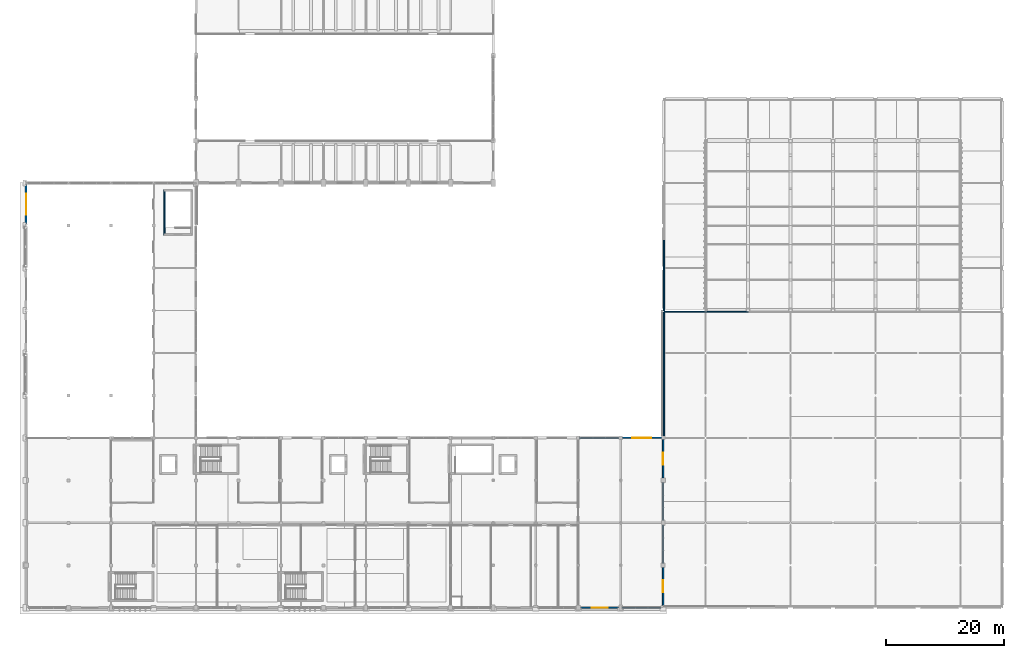
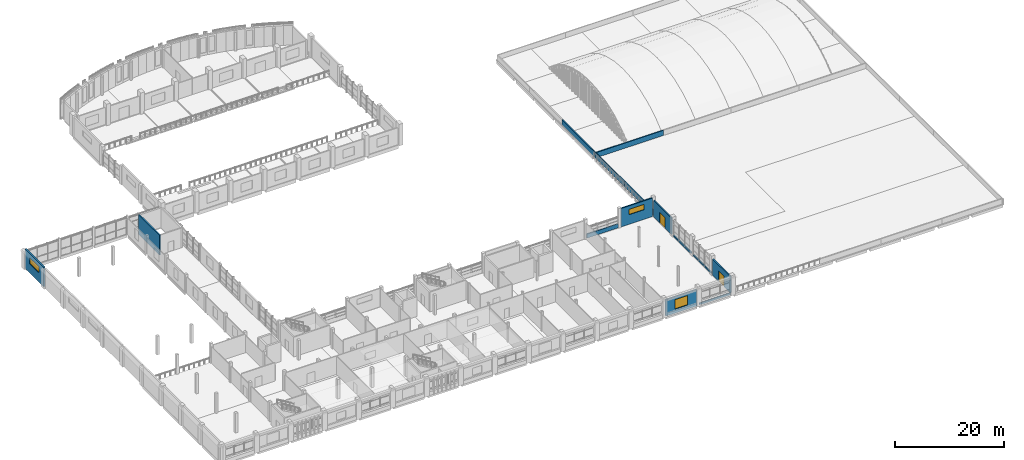
# One storey, part 51 of 71: 14 walls, 3 windows, 2 doors, 5 openings.
"""IFC4 building model written with IfcOpenShell, lengths in metres."""

from ifc_helpers import new_model, si_unit, direction, frame, frame_2d, origin, place, context, subcontext, project, spatial, rectangle, extrude, material, layer, layer_set, type_object, element, fill, save


model = new_model("IFC4")

# Units and contexts
model_context = context("Model", 3, precision=1e-05, world=origin(), true_north=direction((0.0, 1.0)))
body_context = subcontext(model_context, "Body", "Model", "MODEL_VIEW")
ifc_project = project(units=[si_unit("LENGTHUNIT", "METRE"), si_unit("AREAUNIT", "SQUARE_METRE"), si_unit("VOLUMEUNIT", "CUBIC_METRE"), si_unit("PLANEANGLEUNIT", "RADIAN"), si_unit("MASSUNIT", "GRAM", prefix="KILO")], contexts=[model_context])

# Site, building, storey
site_placement = place(None, origin())
site = spatial("IfcSite", under=ifc_project, at=site_placement, CompositionType="ELEMENT")
building_placement = place(site_placement, origin())
building = spatial("IfcBuilding", under=site, at=building_placement, Name="Sardonyx Promenade Sports Hall", CompositionType="ELEMENT")
storey_placement = place(building_placement, frame((0.0, 0.0, 16.0)))
storey = spatial("IfcBuildingStorey", under=building, at=storey_placement, Name="L03", CompositionType="ELEMENT", Elevation=16.0)

# Wall, opening, window
ifc_material_1 = material(Name="Concrete C40/50", Category="concrete")
ifc_layer_1 = layer(ifc_material_1, 0.320068359375)
ifc_layer_set_1 = layer_set([ifc_layer_1], Name="Wall_Ext_Court_320")
wall_type_1 = type_object("IfcWallType", Name="Wall_Ext_Court_320", PredefinedType="SOLIDWALL", material=ifc_layer_set_1)
wall_1_placement = place(storey_placement, frame((0.0, 65.0048828125, 0.0), z_axis=(0.0, 0.0, 1.0), x_axis=(0.0, 1.0, 0.0)))
wall_1 = element("IfcWall", 1, at=wall_1_placement, inside=storey, type_object=wall_type_1, Name="Exterior wall EW01 L03 #167", PredefinedType="SOLIDWALL", context=body_context, shape_type="SweptSolid", body=[
    extrude(rectangle(XDim=6.7900390625, YDim=0.320068359375, at=frame_2d((3.39501953125, 0.0))), origin(), (0.0, 0.0, 1.0), 4.39990234375),
])
opening_1_placement = place(wall_1_placement, frame((1.594970703125, 0.0, 2.10009765625)))
opening_1 = element("IfcOpeningElement", 2, at=opening_1_placement, cuts=wall_1, Name="Opening W17", PredefinedType="OPENING", context=body_context, shape_type="SweptSolid", body=[
    extrude(rectangle(XDim=3.60009765625, YDim=1.35009765625, at=frame_2d((1.800048828125, 0.675048828125))), frame((0.0, 0.17, 0.0), z_axis=(0.0, -1.0, 0.0), x_axis=(1.0, 0.0, 0.0)), (0.0, 0.0, 1.0), 0.34),
])
ifc_material_2 = material(Name="Double-glazed solar low-E aluminium window", Category="aluminium")
window_type_1 = type_object("IfcWindowType", Name="Win_Clerestory_360x135", PartitioningType="DOUBLE_PANEL_VERTICAL", PredefinedType="WINDOW", material=ifc_material_2)
window_1_placement = place(opening_1_placement, origin())
window_1 = element("IfcWindow", 3, at=window_1_placement, inside=storey, type_object=window_type_1, Name="Facade window W17 L03 #71", OverallHeight=1.35009765625, OverallWidth=3.60009765625, PartitioningType="SINGLE_PANEL", PredefinedType="WINDOW", context=body_context, shape_type="SweptSolid", body=[
    extrude(rectangle(XDim=3.60009765625, YDim=1.35009765625, at=frame_2d((1.800048828125, 0.675048828125))), frame((0.0, 0.030029296875, 0.0), z_axis=(0.0, -1.0, 0.0), x_axis=(1.0, 0.0, 0.0)), (0.0, 0.0, 1.0), 0.06005859375),
])
fill(opening_1, window_1)

# Walls
ifc_material_3 = material(Name="Masonry CMU 15 MPa", Category="masonry")
ifc_layer_2 = layer(ifc_material_3, 0.239990234375)
ifc_layer_set_2 = layer_set([ifc_layer_2], Name="Wall_Ext_Spandrel_240")
wall_type_2 = type_object("IfcWallType", Name="Wall_Ext_Spandrel_240", PredefinedType="SOLIDWALL", material=ifc_layer_set_2)
wall_2_placement = place(storey_placement, frame((107.614990234375, 0.0, 0.0), z_axis=(0.0, 0.0, 1.0), x_axis=(-1.0, 0.0, 0.0)))
element("IfcWall", 4, at=wall_2_placement, inside=storey, type_object=wall_type_2, Name="Curtain-wall sill spandrel L03 #77", PredefinedType="SOLIDWALL", context=body_context, shape_type="SweptSolid", body=[
    extrude(rectangle(XDim=6.530029296875, YDim=0.239990234375, at=frame_2d((3.26513671875, 0.0))), origin(), (0.0, 0.0, 1.0), 0.35009765625),
])
wall_3_placement = place(storey_placement, frame((108.0, 21.215087890625, 0.0), z_axis=(0.0, 0.0, 1.0), x_axis=(0.0, -1.0, 0.0)))
element("IfcWall", 5, at=wall_3_placement, inside=storey, type_object=wall_type_2, Name="Curtain-wall sill spandrel L03 #251", PredefinedType="SOLIDWALL", context=body_context, shape_type="SweptSolid", body=[
    extrude(rectangle(XDim=6.380126953125, YDim=0.239990234375, at=frame_2d((3.18994140625, 0.0))), origin(), (0.0, 0.0, 1.0), 0.35009765625),
])
wall_4_placement = place(storey_placement, frame((108.0, 13.965087890625, 0.0), z_axis=(0.0, 0.0, 1.0), x_axis=(0.0, -1.0, 0.0)))
element("IfcWall", 6, at=wall_4_placement, inside=storey, type_object=wall_type_2, Name="Curtain-wall sill spandrel L03 #252", PredefinedType="SOLIDWALL", context=body_context, shape_type="SweptSolid", body=[
    extrude(rectangle(XDim=6.43017578125, YDim=0.239990234375, at=frame_2d((3.215087890625, 0.0))), origin(), (0.0, 0.0, 1.0), 0.35009765625),
])
wall_5_placement = place(storey_placement, frame((93.885009765625, 28.800048828125, 0.0), z_axis=(0.0, 0.0, 1.0), x_axis=(1.0, 0.0, 0.0)))
element("IfcWall", 7, at=wall_5_placement, inside=storey, type_object=wall_type_2, Name="Curtain-wall sill spandrel L03 #263", PredefinedType="SOLIDWALL", context=body_context, shape_type="SweptSolid", body=[
    extrude(rectangle(XDim=6.6298828125, YDim=0.239990234375, at=frame_2d((3.31494140625, 0.0))), origin(), (0.0, 0.0, 1.0), 0.89990234375),
])

# Wall, opening, window
ifc_material_4 = material(Name="Concrete C40/50", Category="concrete")
ifc_layer_3 = layer(ifc_material_4, 0.280029296875)
ifc_layer_set_3 = layer_set([ifc_layer_3], Name="Wall_Ext_Wing_280")
wall_type_3 = type_object("IfcWallType", Name="Wall_Ext_Wing_280", PredefinedType="SOLIDWALL", material=ifc_layer_set_3)
wall_6_placement = place(storey_placement, frame((100.514892578125, 0.0, 0.0), z_axis=(0.0, 0.0, 1.0), x_axis=(-1.0, 0.0, 0.0)))
wall_6 = element("IfcWall", 8, at=wall_6_placement, inside=storey, type_object=wall_type_3, Name="Exterior wall EW02 L03 #78", PredefinedType="SOLIDWALL", context=body_context, shape_type="SweptSolid", body=[
    extrude(rectangle(XDim=6.579833984375, YDim=0.280029296875, at=frame_2d((3.2900390625, 0.0))), origin(), (0.0, 0.0, 1.0), 3.675048828125),
])
opening_2_placement = place(wall_6_placement, frame((1.93994140625, 0.0, 0.89990234375)))
opening_2 = element("IfcOpeningElement", 9, at=opening_2_placement, cuts=wall_6, Name="Opening W01", PredefinedType="OPENING", context=body_context, shape_type="SweptSolid", body=[
    extrude(rectangle(XDim=2.699951171875, YDim=2.10009765625, at=frame_2d((1.35009765625, 1.050048828125))), frame((0.0, 0.15, 0.0), z_axis=(0.0, -1.0, 0.0), x_axis=(1.0, 0.0, 0.0)), (0.0, 0.0, 1.0), 0.3),
])
ifc_material_5 = material(Name="Double-glazed solar low-E aluminium window", Category="aluminium")
window_type_2 = type_object("IfcWindowType", Name="Win_Studio_270x210", PartitioningType="DOUBLE_PANEL_VERTICAL", PredefinedType="WINDOW", material=ifc_material_5)
window_2_placement = place(opening_2_placement, origin())
window_2 = element("IfcWindow", 10, at=window_2_placement, inside=storey, type_object=window_type_2, Name="Facade window W01 L03 #31", OverallHeight=2.10009765625, OverallWidth=2.699951171875, PartitioningType="SINGLE_PANEL", PredefinedType="WINDOW", context=body_context, shape_type="SweptSolid", body=[
    extrude(rectangle(XDim=2.699951171875, YDim=2.10009765625, at=frame_2d((1.35009765625, 1.050048828125))), frame((0.0, 0.030029296875, 0.0), z_axis=(0.0, -1.0, 0.0), x_axis=(1.0, 0.0, 0.0)), (0.0, 0.0, 1.0), 0.06005859375),
])
fill(opening_2, window_2)

# Wall, opening, door
wall_7_placement = place(storey_placement, frame((108.0, 28.514892578125, 0.0), z_axis=(0.0, 0.0, 1.0), x_axis=(0.0, -1.0, 0.0)))
wall_7 = element("IfcWall", 11, at=wall_7_placement, inside=storey, type_object=wall_type_3, Name="Exterior wall EW02 L03 #250", PredefinedType="SOLIDWALL", context=body_context, shape_type="SweptSolid", body=[
    extrude(rectangle(XDim=6.52978515625, YDim=0.280029296875, at=frame_2d((3.264892578125, 0.0))), origin(), (0.0, 0.0, 1.0), 3.675048828125),
])
opening_3_placement = place(wall_7_placement, frame((2.264892578125, 0.0, 0.0)))
opening_3 = element("IfcOpeningElement", 12, at=opening_3_placement, cuts=wall_7, Name="Opening ED12", PredefinedType="OPENING", context=body_context, shape_type="SweptSolid", body=[
    extrude(rectangle(XDim=2.0, YDim=2.39990234375, at=frame_2d((1.0, 1.199951171875))), frame((0.0, 0.15, 0.0), z_axis=(0.0, -1.0, 0.0), x_axis=(1.0, 0.0, 0.0)), (0.0, 0.0, 1.0), 0.3),
])
ifc_material_6 = material(Name="Thermally broken anodised aluminium glazed door", Category="aluminium")
door_type = type_object("IfcDoorType", Name="Door_Ext_Garden_200x240", OperationType="NOTDEFINED", PredefinedType="DOOR", material=ifc_material_6)
door_1_placement = place(opening_3_placement, origin())
door_1 = element("IfcDoor", 13, at=door_1_placement, inside=storey, type_object=door_type, Name="Exterior exit door GD07", OperationType="DOUBLE_DOOR_SINGLE_SWING", OverallHeight=2.39990234375, OverallWidth=2.0, PredefinedType="DOOR", context=body_context, shape_type="SweptSolid", body=[
    extrude(rectangle(XDim=2.0, YDim=2.39990234375, at=frame_2d((1.0, 1.199951171875))), frame((0.0, 0.02490234375, 0.0), z_axis=(0.0, -1.0, 0.0), x_axis=(1.0, 0.0, 0.0)), (0.0, 0.0, 1.0), 0.050048828125),
])
fill(opening_3, door_1)

wall_8_placement = place(storey_placement, frame((108.0, 6.864990234375, 0.0), z_axis=(0.0, 0.0, 1.0), x_axis=(0.0, -1.0, 0.0)))
wall_8 = element("IfcWall", 14, at=wall_8_placement, inside=storey, type_object=wall_type_3, Name="Exterior wall EW02 L03 #253", PredefinedType="SOLIDWALL", context=body_context, shape_type="SweptSolid", body=[
    extrude(rectangle(XDim=6.47998046875, YDim=0.280029296875, at=frame_2d((3.239990234375, 0.0))), origin(), (0.0, 0.0, 1.0), 3.675048828125),
])
opening_4_placement = place(wall_8_placement, frame((2.239990234375, 0.0, 0.0)))
opening_4 = element("IfcOpeningElement", 15, at=opening_4_placement, cuts=wall_8, Name="Opening ED12", PredefinedType="OPENING", context=body_context, shape_type="SweptSolid", body=[
    extrude(rectangle(XDim=2.0, YDim=2.39990234375, at=frame_2d((1.0, 1.199951171875))), frame((0.0, 0.15, 0.0), z_axis=(0.0, -1.0, 0.0), x_axis=(1.0, 0.0, 0.0)), (0.0, 0.0, 1.0), 0.3),
])
door_2_placement = place(opening_4_placement, origin())
door_2 = element("IfcDoor", 16, at=door_2_placement, inside=storey, type_object=door_type, Name="Exterior exit door GD06", OperationType="DOUBLE_DOOR_SINGLE_SWING", OverallHeight=2.39990234375, OverallWidth=2.0, PredefinedType="DOOR", context=body_context, shape_type="SweptSolid", body=[
    extrude(rectangle(XDim=2.0, YDim=2.39990234375, at=frame_2d((1.0, 1.199951171875))), frame((0.0, 0.02490234375, 0.0), z_axis=(0.0, -1.0, 0.0), x_axis=(1.0, 0.0, 0.0)), (0.0, 0.0, 1.0), 0.050048828125),
])
fill(opening_4, door_2)

# Wall, opening, window
wall_9_placement = place(storey_placement, frame((101.0849609375, 28.800048828125, 0.0), z_axis=(0.0, 0.0, 1.0), x_axis=(1.0, 0.0, 0.0)))
wall_9 = element("IfcWall", 17, at=wall_9_placement, inside=storey, type_object=wall_type_3, Name="Exterior wall EW02 L03 #264", PredefinedType="SOLIDWALL", context=body_context, shape_type="SweptSolid", body=[
    extrude(rectangle(XDim=6.630126953125, YDim=0.280029296875, at=frame_2d((3.31494140625, 0.0))), origin(), (0.0, 0.0, 1.0), 4.1201171875),
])
opening_5_placement = place(wall_9_placement, frame((1.715087890625, 0.0, 2.14990234375)))
opening_5 = element("IfcOpeningElement", 18, at=opening_5_placement, cuts=wall_9, Name="Opening W22", PredefinedType="OPENING", context=body_context, shape_type="SweptSolid", body=[
    extrude(rectangle(XDim=3.199951171875, YDim=1.199951171875, at=frame_2d((1.60009765625, 0.60009765625))), frame((0.0, 0.15, 0.0), z_axis=(0.0, -1.0, 0.0), x_axis=(1.0, 0.0, 0.0)), (0.0, 0.0, 1.0), 0.3),
])
ifc_material_7 = material(Name="Double-glazed solar low-E aluminium window", Category="aluminium")
window_type_3 = type_object("IfcWindowType", Name="Win_Clerestory_320x120", PartitioningType="DOUBLE_PANEL_VERTICAL", PredefinedType="WINDOW", material=ifc_material_7)
window_3_placement = place(opening_5_placement, origin())
window_3 = element("IfcWindow", 19, at=window_3_placement, inside=storey, type_object=window_type_3, Name="Facade window W22 L03 #103", OverallHeight=1.199951171875, OverallWidth=3.199951171875, PartitioningType="SINGLE_PANEL", PredefinedType="WINDOW", context=body_context, shape_type="SweptSolid", body=[
    extrude(rectangle(XDim=3.199951171875, YDim=1.199951171875, at=frame_2d((1.60009765625, 0.60009765625))), frame((0.0, 0.030029296875, 0.0), z_axis=(0.0, -1.0, 0.0), x_axis=(1.0, 0.0, 0.0)), (0.0, 0.0, 1.0), 0.06005859375),
])
fill(opening_5, window_3)

# Walls
ifc_material_8 = material(Name="Masonry sandstone coping", Category="masonry")
ifc_layer_4 = layer(ifc_material_8, 0.199951171875)
ifc_layer_set_4 = layer_set([ifc_layer_4], Name="Wall_Parapet_Garden_200")
wall_type_4 = type_object("IfcWallType", Name="Wall_Parapet_Garden_200", PredefinedType="PARAPET", material=ifc_layer_set_4)
wall_10_placement = place(storey_placement, frame((122.46240234375, 50.199951171875, 0.0), z_axis=(0.0, 0.0, 1.0), x_axis=(-1.0, 0.0, 0.0)))
element("IfcWall", 20, at=wall_10_placement, inside=storey, type_object=wall_type_4, Name="Roof parapet PP03 L03 #28", PredefinedType="PARAPET", context=body_context, shape_type="SweptSolid", body=[
    extrude(rectangle(XDim=14.3125, YDim=0.199951171875, at=frame_2d((7.15625, 0.0))), origin(), (0.0, 0.0, 1.0), 1.14990234375),
])
for number, where, z_axis, x_axis, name in (
    (21, (108.14990234375, 50.199951171875, 0.0), (0.0, 0.0, 1.0), (0.0, -1.0, 0.0), "Roof parapet PP03 L03 #29"),
    (22, (108.14990234375, 39.5, 0.0), (0.0, 0.0, 1.0), (0.0, -1.0, 0.0), "Roof parapet PP03 L03 #30"),
):
    element("IfcWall", number, at=place(storey_placement, frame(where, z_axis=z_axis, x_axis=x_axis)), inside=storey, type_object=wall_type_4, Name=name, PredefinedType="PARAPET", context=body_context, shape_type="SweptSolid", body=[
        extrude(rectangle(XDim=10.699951171875, YDim=0.199951171875, at=frame_2d((5.35009765625, 0.0))), origin(), (0.0, 0.0, 1.0), 1.14990234375),
    ])
ifc_material_9 = material(Name="Concrete C40/50", Category="concrete")
ifc_layer_5 = layer(ifc_material_9, 0.219970703125)
ifc_layer_set_5 = layer_set([ifc_layer_5], Name="Wall_Parapet_Roof_220")
wall_type_5 = type_object("IfcWallType", Name="Wall_Parapet_Roof_220", PredefinedType="PARAPET", material=ifc_layer_set_5)
wall_11_placement = place(storey_placement, frame((108.14990234375, 50.39990234375, 0.0), z_axis=(0.0, 0.0, 1.0), x_axis=(0.0, 1.0, 0.0)))
element("IfcWall", 23, at=wall_11_placement, inside=storey, type_object=wall_type_5, Name="Roof parapet PP02 L03 #31", PredefinedType="PARAPET", context=body_context, shape_type="SweptSolid", body=[
    extrude(rectangle(XDim=11.933349609375, YDim=0.219970703125, at=frame_2d((5.966796875, 0.0))), origin(), (0.0, 0.0, 1.0), 1.14990234375),
])
ifc_material_10 = material(Name="Concrete C40/50", Category="concrete")
ifc_layer_6 = layer(ifc_material_10, 0.25)
ifc_layer_set_6 = layer_set([ifc_layer_6], Name="Wall_Stair_Shear_250")
wall_type_6 = type_object("IfcWallType", Name="Wall_Stair_Shear_250", PredefinedType="SHEAR", material=ifc_layer_set_6)
wall_12_placement = place(storey_placement, frame((23.449951171875, 63.199951171875, 0.0), z_axis=(0.0, 0.0, 1.0), x_axis=(0.0, 1.0, 0.0)))
element("IfcWall", 24, at=wall_12_placement, inside=storey, type_object=wall_type_6, Name="Stair shaft wall ST7 L03 N", PredefinedType="SHEAR", context=body_context, shape_type="SweptSolid", body=[
    extrude(rectangle(XDim=7.699951171875, YDim=0.25, at=frame_2d((3.85009765625, 0.0))), origin(), (0.0, 0.0, 1.0), 4.39990234375),
])

save(model, "model.ifc")
